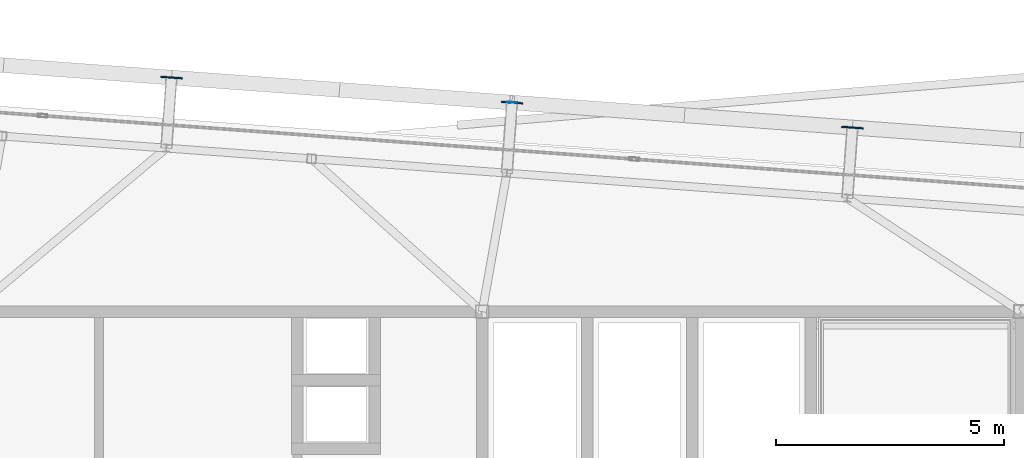
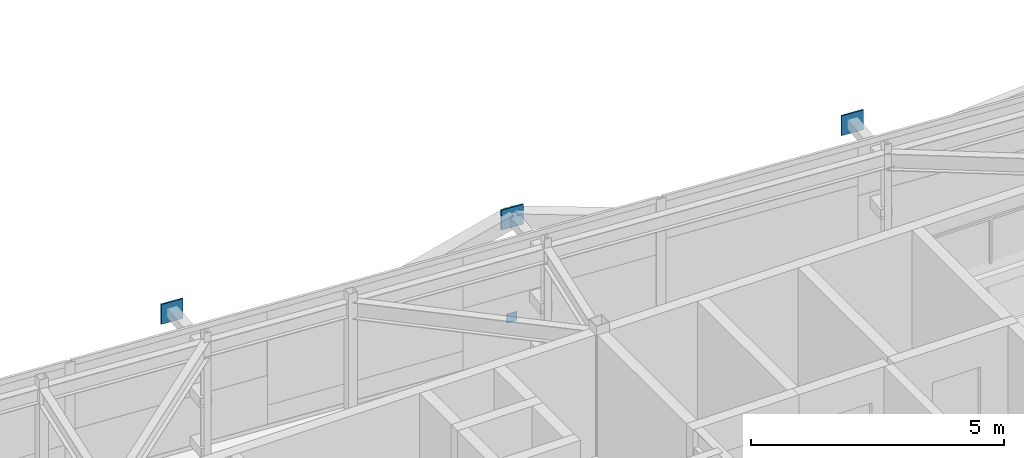
# One storey, part 31 of 37: 4 plates.
"""IFC4 building model written with IfcOpenShell, lengths in metres."""

from ifc_helpers import new_model, si_unit, direction, frame, origin, origin_2d, place, context, subcontext, project, spatial, rectangle, extrude, source, transform, mapped, material, layer, layer_set, type_object, element, save


model = new_model("IFC4")

# Units and contexts
model_context = context("Model", 3, precision=1e-05, world=origin(), true_north=direction((0.0, 1.0)))
body_context = subcontext(model_context, "Body", "Model", "MODEL_VIEW")
ifc_project = project(units=[si_unit("LENGTHUNIT", "METRE"), si_unit("AREAUNIT", "SQUARE_METRE"), si_unit("VOLUMEUNIT", "CUBIC_METRE"), si_unit("PLANEANGLEUNIT", "RADIAN"), si_unit("MASSUNIT", "GRAM", prefix="KILO")], contexts=[model_context])

# Site, building, storey
site_placement = place(None, origin())
site = spatial("IfcSite", under=ifc_project, at=site_placement, CompositionType="ELEMENT")
building_placement = place(site_placement, origin())
building = spatial("IfcBuilding", under=site, at=building_placement, Name="Taldren Reach Tower", CompositionType="ELEMENT")
storey_placement = place(building_placement, frame((0.0, 0.0, 211.39990234375)))
storey = spatial("IfcBuildingStorey", under=building, at=storey_placement, Name="L64", CompositionType="ELEMENT", Elevation=211.39990234375)

# Plates
ifc_material = material(Name="Steel Gr 450 (C450L0)", Category="steel")
ifc_layer_1 = layer(ifc_material, 0.031982421875)
ifc_layer_set_1 = layer_set([ifc_layer_1], Name="Steel Gr 450 (C450L0)")
plate_type_1 = type_object("IfcPlateType", Name="PL-GUSSET-32", PredefinedType="SHEET", material=ifc_layer_set_1)
shared_shape_1 = source(origin(), body_context, "Body", "SweptSolid", [
    extrude(rectangle(XDim=0.47998046875, YDim=0.031982421875, at=origin_2d()), origin(), (0.0, 0.0, 1.0), 0.47998046875),
])
for number, where, z_axis, x_axis, name in (
    (1, (32.39306640625, 37.129150390625, 2.41015625), (0.0, 0.0, 1.0), (0.997314477224, -0.073238197128, 0.0), "Exoskeleton star-node gusset plate B5-N3 L64"),
    (2, (39.85302734375, 36.581298828125, 2.41015625), (0.0, 0.0, 1.0), (0.997314477224, -0.073238197128, 0.0), "Exoskeleton star-node gusset plate B5-N4 L64"),
    (3, (47.31298828125, 36.033447265625, 2.41015625), (0.0, 0.0, 1.0), (0.997314477224, -0.073238197128, 0.0), "Exoskeleton star-node gusset plate B5-N5 L64"),
):
    element("IfcPlate", number, at=place(storey_placement, frame(where, z_axis=z_axis, x_axis=x_axis)), inside=storey, type_object=plate_type_1, Name=name, PredefinedType="SHEET", context=body_context, shape_type="MappedRepresentation", body=[
        mapped(shared_shape_1, transform((0.0, 0.0, 0.0), scale=1.0)),
    ])
ifc_layer_2 = layer(ifc_material, 0.011962890625)
ifc_layer_set_2 = layer_set([ifc_layer_2], Name="Steel Gr 450 (C450L0)")
plate_type_2 = type_object("IfcPlateType", Name="PL-CAP-220", PredefinedType="SHEET", material=ifc_layer_set_2)
shared_shape_2 = source(origin(), body_context, "Body", "SweptSolid", [
    extrude(rectangle(XDim=0.219970703125, YDim=0.011962890625, at=origin_2d()), origin(), (0.0, 0.0, 1.0), 0.219970703125),
])
plate_placement = place(storey_placement, frame((39.853515625, 36.587158203125, 0.1103515625), z_axis=(0.0, 0.0, 1.0), x_axis=(0.997314477224, -0.073238197128, 0.0)))
element("IfcPlate", 4, at=plate_placement, inside=storey, type_object=plate_type_2, Name="Tie strut end cap plate B5-N4 L64", PredefinedType="SHEET", context=body_context, shape_type="MappedRepresentation", body=[
    mapped(shared_shape_2, transform((0.0, 0.0, 0.0), scale=1.0)),
])

save(model, "model.ifc")
